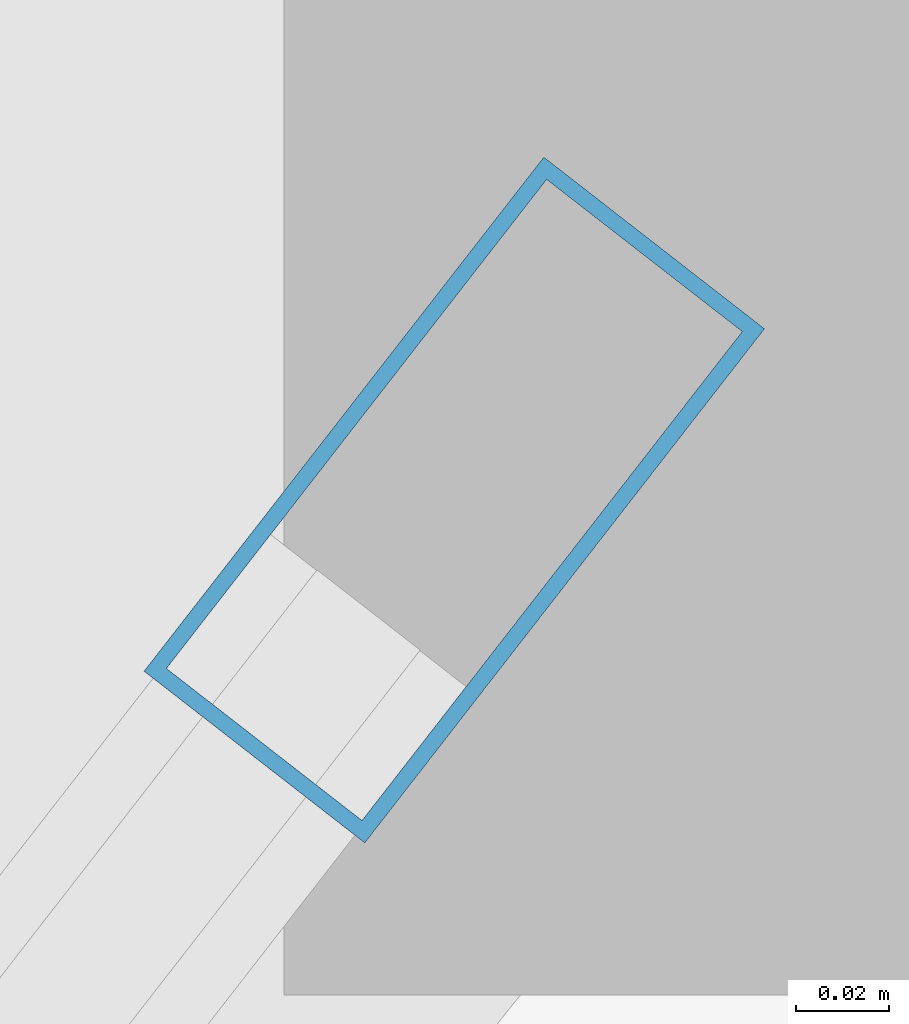
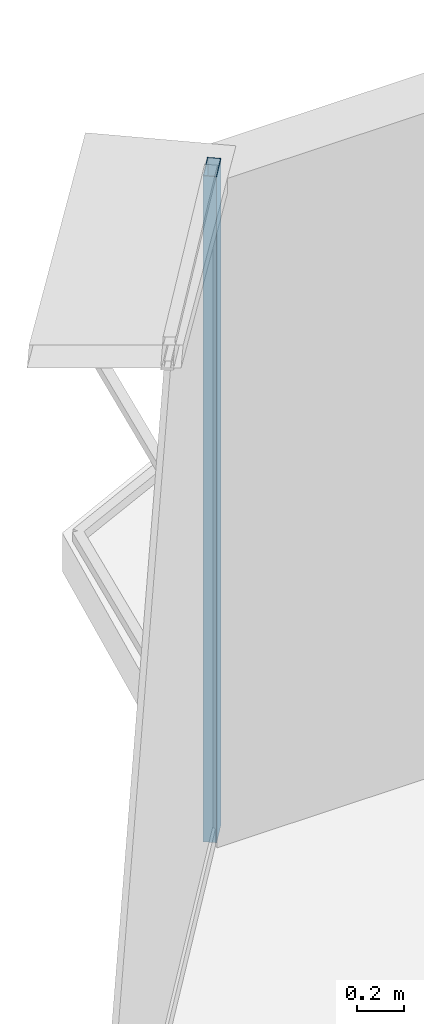
# One storey, part 23 of 35: 1 member, 1 element without a shape of its own.
"""IFC4 building model written with IfcOpenShell, lengths in metres."""

from ifc_helpers import new_model, si_unit, direction, frame, origin, origin_2d, place, context, subcontext, project, spatial, hollow_rectangle, extrude, source, transform, mapped, material, layer, layer_set, material_profile, profile_set, type_object, element, aggregate, save


model = new_model("IFC4")

# Units and contexts
model_context = context("Model", 3, precision=1e-05, world=origin(), true_north=direction((0.0, 1.0)))
body_context = subcontext(model_context, "Body", "Model", "MODEL_VIEW")
ifc_project = project(units=[si_unit("LENGTHUNIT", "METRE"), si_unit("AREAUNIT", "SQUARE_METRE"), si_unit("VOLUMEUNIT", "CUBIC_METRE"), si_unit("PLANEANGLEUNIT", "RADIAN"), si_unit("MASSUNIT", "GRAM", prefix="KILO"), si_unit("THERMODYNAMICTEMPERATUREUNIT", "KELVIN"), si_unit("POWERUNIT", "WATT")], contexts=[model_context])

# Site, building, storey
site_placement = place(None, origin())
site = spatial("IfcSite", under=ifc_project, at=site_placement, CompositionType="ELEMENT")
building_placement = place(site_placement, origin())
building = spatial("IfcBuilding", under=site, at=building_placement, Name="Yunzhuo Pagoda Commons", CompositionType="ELEMENT")
storey_placement = place(building_placement, frame((0.0, 0.0, 299.93994140625)))
storey = spatial("IfcBuildingStorey", under=building, at=storey_placement, Name="L75", CompositionType="ELEMENT", Elevation=299.93994140625)

# Curtain wall, member
ifc_material = material(Name="Anodized aluminium 6063-T6", Category="aluminium")
ifc_layer = layer(ifc_material, 0.139892578125)
ifc_layer_set = layer_set([ifc_layer], Name="Anodized aluminium 6063-T6")
curtain_wall_type = type_object("IfcCurtainWallType", Name="CW-HI High-Zone Ribbon Curtain Wall", PredefinedType="NOTDEFINED", material=ifc_layer_set)
curtain_wall_placement = place(storey_placement, origin())
curtain_wall = element("IfcCurtainWall", 1, at=curtain_wall_placement, inside=storey, type_object=curtain_wall_type, Name="L75 curtain wall CW-L75-F3B1", PredefinedType="NOTDEFINED")
ifc_material_profile = material_profile(ifc_material, hollow_rectangle(XDim=0.06005859375, YDim=0.139892578125, WallThickness=0.00341796875, at=origin_2d()), Name="Anodized aluminium 6063-T6")
ifc_profile_set = profile_set([ifc_material_profile], Name="Anodized aluminium 6063-T6")
member_type = type_object("IfcMemberType", Name="CW-HI-M Mullion RHS 140x60x3.5", PredefinedType="MULLION", material=ifc_profile_set)
shared_shape = source(origin(), body_context, "Body", "SweptSolid", [
    extrude(hollow_rectangle(XDim=0.06005859375, YDim=0.139892578125, WallThickness=0.00341796875, at=origin_2d()), origin(), (0.0, 0.0, 1.0), 3.469970703125),
])
member_placement = place(storey_placement, frame((44.598876953125, 74.764404296875, 0.0), z_axis=(0.0, 0.0, 1.0), x_axis=(0.78943032712, -0.613840173517, 0.0)))
member = element("IfcMember", 2, at=member_placement, type_object=member_type, Name="CW mullion 1", PredefinedType="MULLION", context=body_context, shape_type="MappedRepresentation", body=[
    mapped(shared_shape, transform((0.0, 0.0, 0.0), scale=1.0)),
])
aggregate(curtain_wall, [member])

save(model, "model.ifc")
